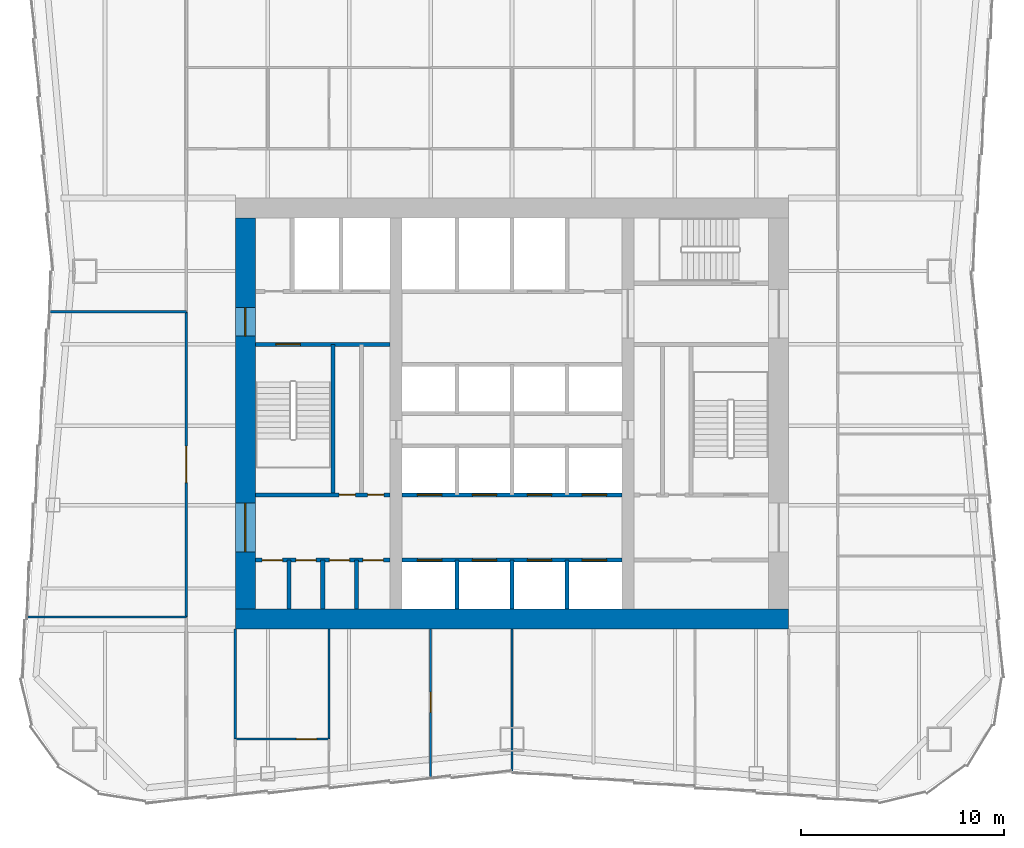
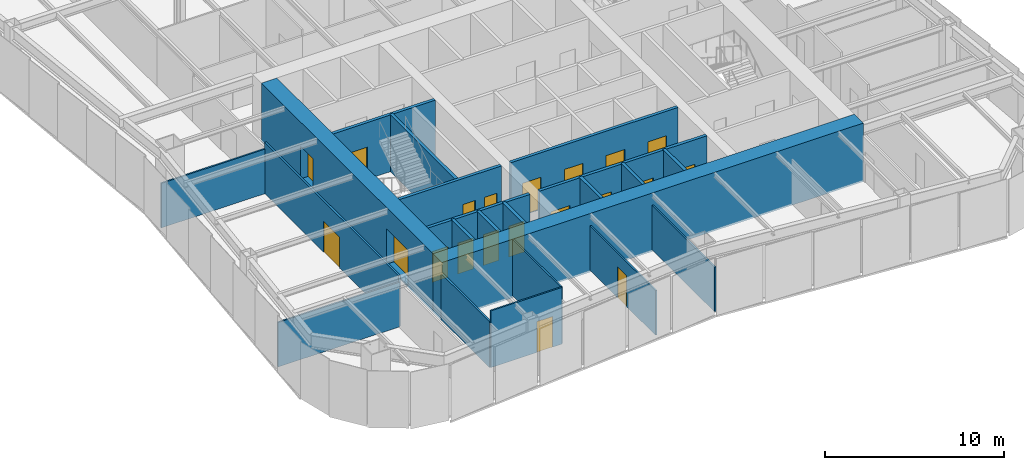
# One storey, part 4 of 8: 22 walls, 20 doors, 20 openings.
"""IFC4 building model written with IfcOpenShell, lengths in metres."""

from ifc_helpers import new_model, si_unit, direction, frame, frame_2d, origin, place, context, subcontext, project, spatial, rectangle, extrude, material, layer, layer_set, type_object, element, fill, save


model = new_model("IFC4")

# Units and contexts
model_context = context("Model", 3, precision=1e-05, world=origin(), true_north=direction((0.0, 1.0)))
body_context = subcontext(model_context, "Body", "Model", "MODEL_VIEW")
ifc_project = project(units=[si_unit("LENGTHUNIT", "METRE"), si_unit("AREAUNIT", "SQUARE_METRE"), si_unit("VOLUMEUNIT", "CUBIC_METRE"), si_unit("PLANEANGLEUNIT", "RADIAN"), si_unit("MASSUNIT", "GRAM", prefix="KILO")], contexts=[model_context])

# Site, building, storey
site_placement = place(None, origin())
site = spatial("IfcSite", under=ifc_project, at=site_placement, CompositionType="ELEMENT")
building_placement = place(site_placement, origin())
building = spatial("IfcBuilding", under=site, at=building_placement, Name="Verdant Reach Tower", CompositionType="ELEMENT")
storey_placement = place(building_placement, frame((0.0, 0.0, 146.0)))
storey = spatial("IfcBuildingStorey", under=building, at=storey_placement, Name="L33", CompositionType="ELEMENT", Elevation=146.0)

# Wall, openings, doors
ifc_material_1 = material(Name="Gypsum board on steel studs", Category="steel")
ifc_layer_1 = layer(ifc_material_1, 0.199951171875)
ifc_layer_set_1 = layer_set([ifc_layer_1], Name="CO-WALL-ROOM")
wall_type_1 = type_object("IfcWallType", Name="CO-WALL-ROOM", PredefinedType="PARTITIONING", material=ifc_layer_set_1)
wall_1_placement = place(storey_placement, frame((-12.60009765625, 20.800048828125, 0.0), z_axis=(0.0, 0.0, 1.0), x_axis=(1.0, 0.0, 0.0)))
wall_1 = element("IfcWall", 1, at=wall_1_placement, inside=storey, type_object=wall_type_1, Name="Core partition, L33", PredefinedType="PARTITIONING", context=body_context, shape_type="SweptSolid", body=[
    extrude(rectangle(XDim=6.60009765625, YDim=0.199951171875, at=frame_2d((3.300048828125, 0.0))), origin(), (0.0, 0.0, 1.0), 3.8701171875),
])
opening_1_placement = place(wall_1_placement, frame((0.324951171875, 0.0, 0.0)))
opening_1 = element("IfcOpeningElement", 2, at=opening_1_placement, cuts=wall_1, Name="Opening CD", PredefinedType="OPENING", context=body_context, shape_type="SweptSolid", body=[
    extrude(rectangle(XDim=1.0, YDim=2.10009765625, at=frame_2d((0.5, 1.050048828125))), frame((0.0, 0.10986328125, 0.0), z_axis=(0.0, -1.0, 0.0), x_axis=(1.0, 0.0, 0.0)), (0.0, 0.0, 1.0), 0.219970703125),
])
opening_2_placement = place(wall_1_placement, frame((1.97509765625, 0.0, 0.0)))
opening_2 = element("IfcOpeningElement", 3, at=opening_2_placement, cuts=wall_1, Name="Opening CD", PredefinedType="OPENING", context=body_context, shape_type="SweptSolid", body=[
    extrude(rectangle(XDim=1.0, YDim=2.10009765625, at=frame_2d((0.5, 1.050048828125))), frame((0.0, 0.10986328125, 0.0), z_axis=(0.0, -1.0, 0.0), x_axis=(1.0, 0.0, 0.0)), (0.0, 0.0, 1.0), 0.219970703125),
])
opening_3_placement = place(wall_1_placement, frame((3.625, 0.0, 0.0)))
opening_3 = element("IfcOpeningElement", 4, at=opening_3_placement, cuts=wall_1, Name="Opening CD", PredefinedType="OPENING", context=body_context, shape_type="SweptSolid", body=[
    extrude(rectangle(XDim=1.0, YDim=2.10009765625, at=frame_2d((0.5, 1.050048828125))), frame((0.0, 0.10986328125, 0.0), z_axis=(0.0, -1.0, 0.0), x_axis=(1.0, 0.0, 0.0)), (0.0, 0.0, 1.0), 0.219970703125),
])
opening_4_placement = place(wall_1_placement, frame((5.27490234375, 0.0, 0.0)))
opening_4 = element("IfcOpeningElement", 5, at=opening_4_placement, cuts=wall_1, Name="Opening CD", PredefinedType="OPENING", context=body_context, shape_type="SweptSolid", body=[
    extrude(rectangle(XDim=1.0, YDim=2.10009765625, at=frame_2d((0.5, 1.050048828125))), frame((0.0, 0.10986328125, 0.0), z_axis=(0.0, -1.0, 0.0), x_axis=(1.0, 0.0, 0.0)), (0.0, 0.0, 1.0), 0.219970703125),
])
ifc_material_2 = material(Name="Timber", Category="wood")
door_type_1 = type_object("IfcDoorType", Name="CO-DOOR-ROOM", OperationType="NOTDEFINED", PredefinedType="DOOR", material=ifc_material_2)
door_1_placement = place(opening_1_placement, origin())
door_1 = element("IfcDoor", 6, at=door_1_placement, inside=storey, type_object=door_type_1, Name="Core room door, L33", OperationType="SINGLE_SWING_RIGHT", OverallHeight=2.10009765625, OverallWidth=1.0, PredefinedType="DOOR", context=body_context, shape_type="SweptSolid", body=[
    extrude(rectangle(XDim=1.0, YDim=2.10009765625, at=frame_2d((0.5, 1.050048828125))), frame((0.0, 0.02490234375, 0.0), z_axis=(0.0, -1.0, 0.0), x_axis=(1.0, 0.0, 0.0)), (0.0, 0.0, 1.0), 0.050048828125),
])
fill(opening_1, door_1)
door_2_placement = place(opening_2_placement, origin())
door_2 = element("IfcDoor", 7, at=door_2_placement, inside=storey, type_object=door_type_1, Name="Core room door, L33", OperationType="SINGLE_SWING_RIGHT", OverallHeight=2.10009765625, OverallWidth=1.0, PredefinedType="DOOR", context=body_context, shape_type="SweptSolid", body=[
    extrude(rectangle(XDim=1.0, YDim=2.10009765625, at=frame_2d((0.5, 1.050048828125))), frame((0.0, 0.02490234375, 0.0), z_axis=(0.0, -1.0, 0.0), x_axis=(1.0, 0.0, 0.0)), (0.0, 0.0, 1.0), 0.050048828125),
])
fill(opening_2, door_2)
door_3_placement = place(opening_3_placement, origin())
door_3 = element("IfcDoor", 8, at=door_3_placement, inside=storey, type_object=door_type_1, Name="Core room door, L33", OperationType="SINGLE_SWING_LEFT", OverallHeight=2.10009765625, OverallWidth=1.0, PredefinedType="DOOR", context=body_context, shape_type="SweptSolid", body=[
    extrude(rectangle(XDim=1.0, YDim=2.10009765625, at=frame_2d((0.5, 1.050048828125))), frame((0.0, 0.02490234375, 0.0), z_axis=(0.0, -1.0, 0.0), x_axis=(1.0, 0.0, 0.0)), (0.0, 0.0, 1.0), 0.050048828125),
])
fill(opening_3, door_3)
door_4_placement = place(opening_4_placement, origin())
door_4 = element("IfcDoor", 9, at=door_4_placement, inside=storey, type_object=door_type_1, Name="Core room door, L33", OperationType="SINGLE_SWING_LEFT", OverallHeight=2.10009765625, OverallWidth=1.0, PredefinedType="DOOR", context=body_context, shape_type="SweptSolid", body=[
    extrude(rectangle(XDim=1.0, YDim=2.10009765625, at=frame_2d((0.5, 1.050048828125))), frame((0.0, 0.02490234375, 0.0), z_axis=(0.0, -1.0, 0.0), x_axis=(1.0, 0.0, 0.0)), (0.0, 0.0, 1.0), 0.050048828125),
])
fill(opening_4, door_4)

# Walls
for number, where, z_axis, x_axis, name in (
    (10, (-10.949951171875, 18.39990234375, 0.0), (0.0, 0.0, 1.0), (0.0, 1.0, 0.0), "Core partition, L33"),
    (11, (-9.300048828125, 18.39990234375, 0.0), (0.0, 0.0, 1.0), (0.0, 1.0, 0.0), "Core partition, L33"),
    (12, (-7.64990234375, 18.39990234375, 0.0), (0.0, 0.0, 1.0), (0.0, 1.0, 0.0), "Core partition, L33"),
):
    element("IfcWall", number, at=place(storey_placement, frame(where, z_axis=z_axis, x_axis=x_axis)), inside=storey, type_object=wall_type_1, Name=name, PredefinedType="PARTITIONING", context=body_context, shape_type="SweptSolid", body=[
        extrude(rectangle(XDim=2.400146484375, YDim=0.199951171875, at=frame_2d((1.2001953125, 0.0))), origin(), (0.0, 0.0, 1.0), 3.8701171875),
    ])

# Wall, openings, doors
ifc_material_3 = material(Name="Concrete C40/50", Category="concrete")
ifc_layer_2 = layer(ifc_material_3, 0.199951171875)
ifc_layer_set_2 = layer_set([ifc_layer_2], Name="CO-WALL-SHAFT")
wall_type_2 = type_object("IfcWallType", Name="CO-WALL-SHAFT", PredefinedType="PARTITIONING", material=ifc_layer_set_2)
wall_2_placement = place(storey_placement, frame((-5.39990234375, 20.800048828125, 0.0), z_axis=(0.0, 0.0, 1.0), x_axis=(1.0, 0.0, 0.0)))
wall_2 = element("IfcWall", 13, at=wall_2_placement, inside=storey, type_object=wall_type_2, Name="Lift shaft wall, L33", PredefinedType="PARTITIONING", context=body_context, shape_type="SweptSolid", body=[
    extrude(rectangle(XDim=10.7998046875, YDim=0.199951171875, at=frame_2d((5.39990234375, 0.0))), origin(), (0.0, 0.0, 1.0), 3.8701171875),
])
opening_5_placement = place(wall_2_placement, frame((0.75, 0.0, 0.0)))
opening_5 = element("IfcOpeningElement", 14, at=opening_5_placement, cuts=wall_2, Name="Opening LD-A1", PredefinedType="OPENING", context=body_context, shape_type="SweptSolid", body=[
    extrude(rectangle(XDim=1.199951171875, YDim=2.199951171875, at=frame_2d((0.60009765625, 1.10009765625))), frame((0.0, 0.10986328125, 0.0), z_axis=(0.0, -1.0, 0.0), x_axis=(1.0, 0.0, 0.0)), (0.0, 0.0, 1.0), 0.219970703125),
])
opening_6_placement = place(wall_2_placement, frame((3.449951171875, 0.0, 0.0)))
opening_6 = element("IfcOpeningElement", 15, at=opening_6_placement, cuts=wall_2, Name="Opening LD-A2", PredefinedType="OPENING", context=body_context, shape_type="SweptSolid", body=[
    extrude(rectangle(XDim=1.199951171875, YDim=2.199951171875, at=frame_2d((0.60009765625, 1.10009765625))), frame((0.0, 0.10986328125, 0.0), z_axis=(0.0, -1.0, 0.0), x_axis=(1.0, 0.0, 0.0)), (0.0, 0.0, 1.0), 0.219970703125),
])
opening_7_placement = place(wall_2_placement, frame((6.14990234375, 0.0, 0.0)))
opening_7 = element("IfcOpeningElement", 16, at=opening_7_placement, cuts=wall_2, Name="Opening LD-A3", PredefinedType="OPENING", context=body_context, shape_type="SweptSolid", body=[
    extrude(rectangle(XDim=1.199951171875, YDim=2.199951171875, at=frame_2d((0.60009765625, 1.10009765625))), frame((0.0, 0.10986328125, 0.0), z_axis=(0.0, -1.0, 0.0), x_axis=(1.0, 0.0, 0.0)), (0.0, 0.0, 1.0), 0.219970703125),
])
opening_8_placement = place(wall_2_placement, frame((8.85009765625, 0.0, 0.0)))
opening_8 = element("IfcOpeningElement", 17, at=opening_8_placement, cuts=wall_2, Name="Opening LD-A4", PredefinedType="OPENING", context=body_context, shape_type="SweptSolid", body=[
    extrude(rectangle(XDim=1.199951171875, YDim=2.199951171875, at=frame_2d((0.60009765625, 1.10009765625))), frame((0.0, 0.10986328125, 0.0), z_axis=(0.0, -1.0, 0.0), x_axis=(1.0, 0.0, 0.0)), (0.0, 0.0, 1.0), 0.219970703125),
])
ifc_material_4 = material(Name="Stainless steel", Category="steel")
door_type_2 = type_object("IfcDoorType", Name="CO-DOOR-LANDING", OperationType="SLIDING_TO_LEFT", PredefinedType="DOOR", material=ifc_material_4)
door_5_placement = place(opening_5_placement, origin())
door_5 = element("IfcDoor", 18, at=door_5_placement, inside=storey, type_object=door_type_2, Name="Landing door A1, L33", OperationType="SLIDING_TO_LEFT", OverallHeight=2.199951171875, OverallWidth=1.199951171875, PredefinedType="DOOR", context=body_context, shape_type="SweptSolid", body=[
    extrude(rectangle(XDim=1.199951171875, YDim=2.199951171875, at=frame_2d((0.60009765625, 1.10009765625))), frame((0.0, 0.02490234375, 0.0), z_axis=(0.0, -1.0, 0.0), x_axis=(1.0, 0.0, 0.0)), (0.0, 0.0, 1.0), 0.050048828125),
])
fill(opening_5, door_5)
door_6_placement = place(opening_6_placement, origin())
door_6 = element("IfcDoor", 19, at=door_6_placement, inside=storey, type_object=door_type_2, Name="Landing door A2, L33", OperationType="SLIDING_TO_LEFT", OverallHeight=2.199951171875, OverallWidth=1.199951171875, PredefinedType="DOOR", context=body_context, shape_type="SweptSolid", body=[
    extrude(rectangle(XDim=1.199951171875, YDim=2.199951171875, at=frame_2d((0.60009765625, 1.10009765625))), frame((0.0, 0.02490234375, 0.0), z_axis=(0.0, -1.0, 0.0), x_axis=(1.0, 0.0, 0.0)), (0.0, 0.0, 1.0), 0.050048828125),
])
fill(opening_6, door_6)
door_7_placement = place(opening_7_placement, origin())
door_7 = element("IfcDoor", 20, at=door_7_placement, inside=storey, type_object=door_type_2, Name="Landing door A3, L33", OperationType="SLIDING_TO_LEFT", OverallHeight=2.199951171875, OverallWidth=1.199951171875, PredefinedType="DOOR", context=body_context, shape_type="SweptSolid", body=[
    extrude(rectangle(XDim=1.199951171875, YDim=2.199951171875, at=frame_2d((0.60009765625, 1.10009765625))), frame((0.0, 0.02490234375, 0.0), z_axis=(0.0, -1.0, 0.0), x_axis=(1.0, 0.0, 0.0)), (0.0, 0.0, 1.0), 0.050048828125),
])
fill(opening_7, door_7)
door_8_placement = place(opening_8_placement, origin())
door_8 = element("IfcDoor", 21, at=door_8_placement, inside=storey, type_object=door_type_2, Name="Landing door A4, L33", OperationType="SLIDING_TO_LEFT", OverallHeight=2.199951171875, OverallWidth=1.199951171875, PredefinedType="DOOR", context=body_context, shape_type="SweptSolid", body=[
    extrude(rectangle(XDim=1.199951171875, YDim=2.199951171875, at=frame_2d((0.60009765625, 1.10009765625))), frame((0.0, 0.02490234375, 0.0), z_axis=(0.0, -1.0, 0.0), x_axis=(1.0, 0.0, 0.0)), (0.0, 0.0, 1.0), 0.050048828125),
])
fill(opening_8, door_8)

wall_3_placement = place(storey_placement, frame((-5.39990234375, 24.0, 0.0), z_axis=(0.0, 0.0, 1.0), x_axis=(1.0, 0.0, 0.0)))
wall_3 = element("IfcWall", 22, at=wall_3_placement, inside=storey, type_object=wall_type_2, Name="Lift shaft wall, L33", PredefinedType="PARTITIONING", context=body_context, shape_type="SweptSolid", body=[
    extrude(rectangle(XDim=10.7998046875, YDim=0.199951171875, at=frame_2d((5.39990234375, 0.0))), origin(), (0.0, 0.0, 1.0), 3.8701171875),
])
opening_9_placement = place(wall_3_placement, frame((0.75, 0.0, 0.0)))
opening_9 = element("IfcOpeningElement", 23, at=opening_9_placement, cuts=wall_3, Name="Opening LD-A5", PredefinedType="OPENING", context=body_context, shape_type="SweptSolid", body=[
    extrude(rectangle(XDim=1.199951171875, YDim=2.199951171875, at=frame_2d((0.60009765625, 1.10009765625))), frame((0.0, 0.10986328125, 0.0), z_axis=(0.0, -1.0, 0.0), x_axis=(1.0, 0.0, 0.0)), (0.0, 0.0, 1.0), 0.219970703125),
])
opening_10_placement = place(wall_3_placement, frame((3.449951171875, 0.0, 0.0)))
opening_10 = element("IfcOpeningElement", 24, at=opening_10_placement, cuts=wall_3, Name="Opening LD-A6", PredefinedType="OPENING", context=body_context, shape_type="SweptSolid", body=[
    extrude(rectangle(XDim=1.199951171875, YDim=2.199951171875, at=frame_2d((0.60009765625, 1.10009765625))), frame((0.0, 0.10986328125, 0.0), z_axis=(0.0, -1.0, 0.0), x_axis=(1.0, 0.0, 0.0)), (0.0, 0.0, 1.0), 0.219970703125),
])
opening_11_placement = place(wall_3_placement, frame((6.14990234375, 0.0, 0.0)))
opening_11 = element("IfcOpeningElement", 25, at=opening_11_placement, cuts=wall_3, Name="Opening LD-A7", PredefinedType="OPENING", context=body_context, shape_type="SweptSolid", body=[
    extrude(rectangle(XDim=1.199951171875, YDim=2.199951171875, at=frame_2d((0.60009765625, 1.10009765625))), frame((0.0, 0.10986328125, 0.0), z_axis=(0.0, -1.0, 0.0), x_axis=(1.0, 0.0, 0.0)), (0.0, 0.0, 1.0), 0.219970703125),
])
opening_12_placement = place(wall_3_placement, frame((8.85009765625, 0.0, 0.0)))
opening_12 = element("IfcOpeningElement", 26, at=opening_12_placement, cuts=wall_3, Name="Opening LD-A8", PredefinedType="OPENING", context=body_context, shape_type="SweptSolid", body=[
    extrude(rectangle(XDim=1.199951171875, YDim=2.199951171875, at=frame_2d((0.60009765625, 1.10009765625))), frame((0.0, 0.10986328125, 0.0), z_axis=(0.0, -1.0, 0.0), x_axis=(1.0, 0.0, 0.0)), (0.0, 0.0, 1.0), 0.219970703125),
])
door_9_placement = place(opening_9_placement, origin())
door_9 = element("IfcDoor", 27, at=door_9_placement, inside=storey, type_object=door_type_2, Name="Landing door A5, L33", OperationType="SLIDING_TO_LEFT", OverallHeight=2.199951171875, OverallWidth=1.199951171875, PredefinedType="DOOR", context=body_context, shape_type="SweptSolid", body=[
    extrude(rectangle(XDim=1.199951171875, YDim=2.199951171875, at=frame_2d((0.60009765625, 1.10009765625))), frame((0.0, 0.02490234375, 0.0), z_axis=(0.0, -1.0, 0.0), x_axis=(1.0, 0.0, 0.0)), (0.0, 0.0, 1.0), 0.050048828125),
])
fill(opening_9, door_9)
door_10_placement = place(opening_10_placement, origin())
door_10 = element("IfcDoor", 28, at=door_10_placement, inside=storey, type_object=door_type_2, Name="Landing door A6, L33", OperationType="SLIDING_TO_LEFT", OverallHeight=2.199951171875, OverallWidth=1.199951171875, PredefinedType="DOOR", context=body_context, shape_type="SweptSolid", body=[
    extrude(rectangle(XDim=1.199951171875, YDim=2.199951171875, at=frame_2d((0.60009765625, 1.10009765625))), frame((0.0, 0.02490234375, 0.0), z_axis=(0.0, -1.0, 0.0), x_axis=(1.0, 0.0, 0.0)), (0.0, 0.0, 1.0), 0.050048828125),
])
fill(opening_10, door_10)
door_11_placement = place(opening_11_placement, origin())
door_11 = element("IfcDoor", 29, at=door_11_placement, inside=storey, type_object=door_type_2, Name="Landing door A7, L33", OperationType="SLIDING_TO_LEFT", OverallHeight=2.199951171875, OverallWidth=1.199951171875, PredefinedType="DOOR", context=body_context, shape_type="SweptSolid", body=[
    extrude(rectangle(XDim=1.199951171875, YDim=2.199951171875, at=frame_2d((0.60009765625, 1.10009765625))), frame((0.0, 0.02490234375, 0.0), z_axis=(0.0, -1.0, 0.0), x_axis=(1.0, 0.0, 0.0)), (0.0, 0.0, 1.0), 0.050048828125),
])
fill(opening_11, door_11)
door_12_placement = place(opening_12_placement, origin())
door_12 = element("IfcDoor", 30, at=door_12_placement, inside=storey, type_object=door_type_2, Name="Landing door A8, L33", OperationType="SLIDING_TO_LEFT", OverallHeight=2.199951171875, OverallWidth=1.199951171875, PredefinedType="DOOR", context=body_context, shape_type="SweptSolid", body=[
    extrude(rectangle(XDim=1.199951171875, YDim=2.199951171875, at=frame_2d((0.60009765625, 1.10009765625))), frame((0.0, 0.02490234375, 0.0), z_axis=(0.0, -1.0, 0.0), x_axis=(1.0, 0.0, 0.0)), (0.0, 0.0, 1.0), 0.050048828125),
])
fill(opening_12, door_12)

# Walls
for number, where, z_axis, x_axis, name in (
    (31, (-2.699951171875, 18.39990234375, 0.0), (0.0, 0.0, 1.0), (0.0, 1.0, 0.0), "Lift shaft wall, L33"),
    (32, (0.0, 18.39990234375, 0.0), (0.0, 0.0, 1.0), (0.0, 1.0, 0.0), "Lift shaft wall, L33"),
    (33, (2.699951171875, 18.39990234375, 0.0), (0.0, 0.0, 1.0), (0.0, 1.0, 0.0), "Lift shaft wall, L33"),
):
    element("IfcWall", number, at=place(storey_placement, frame(where, z_axis=z_axis, x_axis=x_axis)), inside=storey, type_object=wall_type_2, Name=name, PredefinedType="PARTITIONING", context=body_context, shape_type="SweptSolid", body=[
        extrude(rectangle(XDim=2.400146484375, YDim=0.199951171875, at=frame_2d((1.2001953125, 0.0))), origin(), (0.0, 0.0, 1.0), 3.8701171875),
    ])

# Wall, openings, doors
ifc_layer_3 = layer(ifc_material_3, 0.199951171875)
ifc_layer_set_3 = layer_set([ifc_layer_3], Name="CO-WALL-STAIR")
wall_type_3 = type_object("IfcWallType", Name="CO-WALL-STAIR", PredefinedType="PARTITIONING", material=ifc_layer_set_3)
wall_4_placement = place(storey_placement, frame((-12.60009765625, 24.0, 0.0), z_axis=(0.0, 0.0, 1.0), x_axis=(1.0, 0.0, 0.0)))
wall_4 = element("IfcWall", 34, at=wall_4_placement, inside=storey, type_object=wall_type_3, Name="Stair enclosure wall, L33", PredefinedType="PARTITIONING", context=body_context, shape_type="SweptSolid", body=[
    extrude(rectangle(XDim=6.60009765625, YDim=0.199951171875, at=frame_2d((3.300048828125, 0.0))), origin(), (0.0, 0.0, 1.0), 3.8701171875),
])
opening_13_placement = place(wall_4_placement, frame((4.10009765625, 0.0, 0.0)))
opening_13 = element("IfcOpeningElement", 35, at=opening_13_placement, cuts=wall_4, Name="Opening CDN", PredefinedType="OPENING", context=body_context, shape_type="SweptSolid", body=[
    extrude(rectangle(XDim=0.800048828125, YDim=2.10009765625, at=frame_2d((0.39990234375, 1.050048828125))), frame((0.0, 0.10986328125, 0.0), z_axis=(0.0, -1.0, 0.0), x_axis=(1.0, 0.0, 0.0)), (0.0, 0.0, 1.0), 0.219970703125),
])
opening_14_placement = place(wall_4_placement, frame((5.5, 0.0, 0.0)))
opening_14 = element("IfcOpeningElement", 36, at=opening_14_placement, cuts=wall_4, Name="Opening CDN", PredefinedType="OPENING", context=body_context, shape_type="SweptSolid", body=[
    extrude(rectangle(XDim=0.800048828125, YDim=2.10009765625, at=frame_2d((0.39990234375, 1.050048828125))), frame((0.0, 0.10986328125, 0.0), z_axis=(0.0, -1.0, 0.0), x_axis=(1.0, 0.0, 0.0)), (0.0, 0.0, 1.0), 0.219970703125),
])
door_type_3 = type_object("IfcDoorType", Name="CO-DOOR-ROOM-NARROW", OperationType="NOTDEFINED", PredefinedType="DOOR", material=ifc_material_2)
door_13_placement = place(opening_13_placement, origin())
door_13 = element("IfcDoor", 37, at=door_13_placement, inside=storey, type_object=door_type_3, Name="Core room door, L33", OperationType="SINGLE_SWING_RIGHT", OverallHeight=2.10009765625, OverallWidth=0.800048828125, PredefinedType="DOOR", context=body_context, shape_type="SweptSolid", body=[
    extrude(rectangle(XDim=0.800048828125, YDim=2.10009765625, at=frame_2d((0.39990234375, 1.050048828125))), frame((0.0, 0.02490234375, 0.0), z_axis=(0.0, -1.0, 0.0), x_axis=(1.0, 0.0, 0.0)), (0.0, 0.0, 1.0), 0.050048828125),
])
fill(opening_13, door_13)
door_14_placement = place(opening_14_placement, origin())
door_14 = element("IfcDoor", 38, at=door_14_placement, inside=storey, type_object=door_type_3, Name="Core room door, L33", OperationType="SINGLE_SWING_LEFT", OverallHeight=2.10009765625, OverallWidth=0.800048828125, PredefinedType="DOOR", context=body_context, shape_type="SweptSolid", body=[
    extrude(rectangle(XDim=0.800048828125, YDim=2.10009765625, at=frame_2d((0.39990234375, 1.050048828125))), frame((0.0, 0.02490234375, 0.0), z_axis=(0.0, -1.0, 0.0), x_axis=(1.0, 0.0, 0.0)), (0.0, 0.0, 1.0), 0.050048828125),
])
fill(opening_14, door_14)

# Wall, opening, door
wall_5_placement = place(storey_placement, frame((-12.60009765625, 31.39990234375, 0.0), z_axis=(0.0, 0.0, 1.0), x_axis=(1.0, 0.0, 0.0)))
wall_5 = element("IfcWall", 39, at=wall_5_placement, inside=storey, type_object=wall_type_3, Name="Stair enclosure wall, L33", PredefinedType="PARTITIONING", context=body_context, shape_type="SweptSolid", body=[
    extrude(rectangle(XDim=6.60009765625, YDim=0.199951171875, at=frame_2d((3.300048828125, 0.0))), origin(), (0.0, 0.0, 1.0), 3.8701171875),
])
opening_15_placement = place(wall_5_placement, frame((1.0, 0.0, 0.0)))
opening_15 = element("IfcOpeningElement", 40, at=opening_15_placement, cuts=wall_5, Name="Opening SD", PredefinedType="OPENING", context=body_context, shape_type="SweptSolid", body=[
    extrude(rectangle(XDim=1.199951171875, YDim=2.199951171875, at=frame_2d((0.60009765625, 1.10009765625))), frame((0.0, 0.10986328125, 0.0), z_axis=(0.0, -1.0, 0.0), x_axis=(1.0, 0.0, 0.0)), (0.0, 0.0, 1.0), 0.219970703125),
])
ifc_material_5 = material(Name="Steel", Category="steel")
door_type_4 = type_object("IfcDoorType", Name="CO-DOOR-STAIR", OperationType="NOTDEFINED", PredefinedType="DOOR", material=ifc_material_5)
door_15_placement = place(opening_15_placement, origin())
door_15 = element("IfcDoor", 41, at=door_15_placement, inside=storey, type_object=door_type_4, Name="Stair door, L33", OperationType="SINGLE_SWING_RIGHT", OverallHeight=2.199951171875, OverallWidth=1.199951171875, PredefinedType="DOOR", context=body_context, shape_type="SweptSolid", body=[
    extrude(rectangle(XDim=1.199951171875, YDim=2.199951171875, at=frame_2d((0.60009765625, 1.10009765625))), frame((0.0, 0.02490234375, 0.0), z_axis=(0.0, -1.0, 0.0), x_axis=(1.0, 0.0, 0.0)), (0.0, 0.0, 1.0), 0.050048828125),
])
fill(opening_15, door_15)

# Walls
wall_6_placement = place(storey_placement, frame((-8.800048828125, 24.0, 0.0), z_axis=(0.0, 0.0, 1.0), x_axis=(0.0, 1.0, 0.0)))
element("IfcWall", 42, at=wall_6_placement, inside=storey, type_object=wall_type_3, Name="Stair enclosure wall, L33", PredefinedType="PARTITIONING", context=body_context, shape_type="SweptSolid", body=[
    extrude(rectangle(XDim=7.39990234375, YDim=0.199951171875, at=frame_2d((3.699951171875, 0.0))), origin(), (0.0, 0.0, 1.0), 3.8701171875),
])
ifc_layer_4 = layer(ifc_material_1, 0.10009765625)
ifc_layer_set_4 = layer_set([ifc_layer_4], Name="FL-W1 Partition 100")
wall_type_4 = type_object("IfcWallType", Name="FL-W1 Partition 100", PredefinedType="PARTITIONING", material=ifc_layer_set_4)
wall_7_placement = place(storey_placement, frame((-16.0, 18.0, 0.0), z_axis=(0.0, 0.0, 1.0), x_axis=(-1.0, 0.0, 0.0)))
element("IfcWall", 43, at=wall_7_placement, inside=storey, type_object=wall_type_4, Name="Partition 33.19", PredefinedType="PARTITIONING", context=body_context, shape_type="SweptSolid", body=[
    extrude(rectangle(XDim=7.85498046875, YDim=0.10009765625, at=frame_2d((3.927490234375, 0.0))), origin(), (0.0, 0.0, 1.0), 3.0400390625),
])
wall_8_placement = place(storey_placement, frame((-16.0, 33.0, 0.0), z_axis=(0.0, 0.0, 1.0), x_axis=(-1.0, 0.0, 0.0)))
element("IfcWall", 44, at=wall_8_placement, inside=storey, type_object=wall_type_4, Name="Partition 33.20", PredefinedType="PARTITIONING", context=body_context, shape_type="SweptSolid", body=[
    extrude(rectangle(XDim=6.72998046875, YDim=0.10009765625, at=frame_2d((3.364990234375, 0.0))), origin(), (0.0, 0.0, 1.0), 3.0400390625),
])

# Wall, opening, door
wall_9_placement = place(storey_placement, frame((-13.60009765625, 12.0, 0.0), z_axis=(0.0, 0.0, 1.0), x_axis=(1.0, 0.0, 0.0)))
wall_9 = element("IfcWall", 45, at=wall_9_placement, inside=storey, type_object=wall_type_4, Name="Partition 33.31", PredefinedType="PARTITIONING", context=body_context, shape_type="SweptSolid", body=[
    extrude(rectangle(XDim=4.60009765625, YDim=0.10009765625, at=frame_2d((2.300048828125, 0.0))), origin(), (0.0, 0.0, 1.0), 3.8701171875),
])
opening_16_placement = place(wall_9_placement, frame((3.0, 0.0, 0.0)))
opening_16 = element("IfcOpeningElement", 46, at=opening_16_placement, cuts=wall_9, Name="Opening D3", PredefinedType="OPENING", context=body_context, shape_type="SweptSolid", body=[
    extrude(rectangle(XDim=1.0, YDim=2.10009765625, at=frame_2d((0.5, 1.050048828125))), frame((0.0, 0.06005859375, 0.0), z_axis=(0.0, -1.0, 0.0), x_axis=(1.0, 0.0, 0.0)), (0.0, 0.0, 1.0), 0.1201171875),
])
ifc_material_6 = material(Name="Painted timber door leaf", Category="wood")
door_type_5 = type_object("IfcDoorType", Name="FL-D3 Door 1000x2100", OperationType="NOTDEFINED", PredefinedType="DOOR", material=ifc_material_6)
door_16_placement = place(opening_16_placement, origin())
door_16 = element("IfcDoor", 47, at=door_16_placement, inside=storey, type_object=door_type_5, Name="Door 33-016", OperationType="SINGLE_SWING_RIGHT", OverallHeight=2.10009765625, OverallWidth=1.0, PredefinedType="DOOR", context=body_context, shape_type="SweptSolid", body=[
    extrude(rectangle(XDim=1.0, YDim=2.10009765625, at=frame_2d((0.5, 1.050048828125))), frame((0.0, 0.02490234375, 0.0), z_axis=(0.0, -1.0, 0.0), x_axis=(1.0, 0.0, 0.0)), (0.0, 0.0, 1.0), 0.050048828125),
])
fill(opening_16, door_16)

# Wall
wall_10_placement = place(storey_placement, frame((-9.0, 11.99609375, 0.0), z_axis=(0.0, 0.0, 1.0), x_axis=(0.0, 1.0, 0.0)))
element("IfcWall", 48, at=wall_10_placement, inside=storey, type_object=wall_type_4, Name="Partition 33.33", PredefinedType="PARTITIONING", context=body_context, shape_type="SweptSolid", body=[
    extrude(rectangle(XDim=5.40380859375, YDim=0.10009765625, at=frame_2d((2.701904296875, 0.0))), origin(), (0.0, 0.0, 1.0), 3.8701171875),
])

# Wall, opening, door
wall_11_placement = place(storey_placement, frame((-4.0, 17.39990234375, 0.0), z_axis=(0.0, 0.0, 1.0), x_axis=(0.0, -1.0, 0.0)))
wall_11 = element("IfcWall", 49, at=wall_11_placement, inside=storey, type_object=wall_type_4, Name="Partition 33.34", PredefinedType="PARTITIONING", context=body_context, shape_type="SweptSolid", body=[
    extrude(rectangle(XDim=7.313232421875, YDim=0.10009765625, at=frame_2d((3.65673828125, 0.0))), origin(), (0.0, 0.0, 1.0), 3.0400390625),
])
opening_17_placement = place(wall_11_placement, frame((3.091552734375, 0.0, 0.0)))
opening_17 = element("IfcOpeningElement", 50, at=opening_17_placement, cuts=wall_11, Name="Opening D3", PredefinedType="OPENING", context=body_context, shape_type="SweptSolid", body=[
    extrude(rectangle(XDim=1.0, YDim=2.10009765625, at=frame_2d((0.5, 1.050048828125))), frame((0.0, 0.06005859375, 0.0), z_axis=(0.0, -1.0, 0.0), x_axis=(1.0, 0.0, 0.0)), (0.0, 0.0, 1.0), 0.1201171875),
])
door_17_placement = place(opening_17_placement, origin())
door_17 = element("IfcDoor", 51, at=door_17_placement, inside=storey, type_object=door_type_5, Name="Door 33-018", OperationType="SINGLE_SWING_LEFT", OverallHeight=2.10009765625, OverallWidth=1.0, PredefinedType="DOOR", context=body_context, shape_type="SweptSolid", body=[
    extrude(rectangle(XDim=1.0, YDim=2.10009765625, at=frame_2d((0.5, 1.050048828125))), frame((0.0, 0.02490234375, 0.0), z_axis=(0.0, -1.0, 0.0), x_axis=(1.0, 0.0, 0.0)), (0.0, 0.0, 1.0), 0.050048828125),
])
fill(opening_17, door_17)

# Wall
wall_12_placement = place(storey_placement, frame((0.0, 10.419921875, 0.0), z_axis=(0.0, 0.0, 1.0), x_axis=(0.0, 1.0, 0.0)))
element("IfcWall", 52, at=wall_12_placement, inside=storey, type_object=wall_type_4, Name="Partition 33.35", PredefinedType="PARTITIONING", context=body_context, shape_type="SweptSolid", body=[
    extrude(rectangle(XDim=6.97998046875, YDim=0.10009765625, at=frame_2d((3.489990234375, 0.0))), origin(), (0.0, 0.0, 1.0), 3.0400390625),
])

# Wall, opening, door
ifc_material_7 = material(Name="Gypsum board on steel studs, fire rated", Category="steel")
ifc_layer_5 = layer(ifc_material_7, 0.125)
ifc_layer_set_5 = layer_set([ifc_layer_5], Name="FL-W2 Corridor wall 125")
wall_type_5 = type_object("IfcWallType", Name="FL-W2 Corridor wall 125", PredefinedType="PARTITIONING", material=ifc_layer_set_5)
wall_13_placement = place(storey_placement, frame((-16.0, 33.0, 0.0), z_axis=(0.0, 0.0, 1.0), x_axis=(0.0, -1.0, 0.0)))
wall_13 = element("IfcWall", 53, at=wall_13_placement, inside=storey, type_object=wall_type_5, Name="Partition 33.02", PredefinedType="PARTITIONING", context=body_context, shape_type="SweptSolid", body=[
    extrude(rectangle(XDim=15.0, YDim=0.125, at=frame_2d((7.5, 0.0))), origin(), (0.0, 0.0, 1.0), 3.47998046875),
])
opening_18_placement = place(wall_13_placement, frame((6.60009765625, 0.0, 0.0)))
opening_18 = element("IfcOpeningElement", 54, at=opening_18_placement, cuts=wall_13, Name="Opening D4", PredefinedType="OPENING", context=body_context, shape_type="SweptSolid", body=[
    extrude(rectangle(XDim=1.800048828125, YDim=2.10009765625, at=frame_2d((0.89990234375, 1.050048828125))), frame((0.0, 0.072509765625, 0.0), z_axis=(0.0, -1.0, 0.0), x_axis=(1.0, 0.0, 0.0)), (0.0, 0.0, 1.0), 0.14501953125),
])
ifc_material_8 = material(Name="Timber door leaves, fire rated", Category="wood")
door_type_6 = type_object("IfcDoorType", Name="FL-D4 Double door 1800x2100 FD30", OperationType="DOUBLE_DOOR_SINGLE_SWING", PredefinedType="DOOR", material=ifc_material_8)
door_18_placement = place(opening_18_placement, origin())
door_18 = element("IfcDoor", 55, at=door_18_placement, inside=storey, type_object=door_type_6, Name="Door 33-002", OperationType="DOUBLE_DOOR_SINGLE_SWING", OverallHeight=2.10009765625, OverallWidth=1.800048828125, PredefinedType="DOOR", context=body_context, shape_type="SweptSolid", body=[
    extrude(rectangle(XDim=1.800048828125, YDim=2.10009765625, at=frame_2d((0.89990234375, 1.050048828125))), frame((0.0, 0.02490234375, 0.0), z_axis=(0.0, -1.0, 0.0), x_axis=(1.0, 0.0, 0.0)), (0.0, 0.0, 1.0), 0.050048828125),
])
fill(opening_18, door_18)

# Walls
wall_14_placement = place(storey_placement, frame((-13.60009765625, 12.0, 0.0), z_axis=(0.0, 0.0, 1.0), x_axis=(0.0, 1.0, 0.0)))
element("IfcWall", 56, at=wall_14_placement, inside=storey, type_object=wall_type_5, Name="Partition 33.10", PredefinedType="PARTITIONING", context=body_context, shape_type="SweptSolid", body=[
    extrude(rectangle(XDim=5.39990234375, YDim=0.125, at=frame_2d((2.699951171875, 0.0))), origin(), (0.0, 0.0, 1.0), 3.139892578125),
])
ifc_material_9 = material(Name="Concrete C70/85", Category="concrete")
ifc_layer_6 = layer(ifc_material_9, 1.0)
ifc_layer_set_6 = layer_set([ifc_layer_6], Name="ST-CORE-WALL-1000")
wall_type_6 = type_object("IfcWallType", Name="ST-CORE-WALL-1000", PredefinedType="SHEAR", material=ifc_layer_set_6)
wall_15_placement = place(storey_placement, frame((-13.60009765625, 17.89990234375, -0.1298828125), z_axis=(0.0, 0.0, 1.0), x_axis=(1.0, 0.0, 0.0)))
element("IfcWall", 57, at=wall_15_placement, inside=storey, type_object=wall_type_6, Name="Core wall S, L33", PredefinedType="SHEAR", context=body_context, shape_type="SweptSolid", body=[
    extrude(rectangle(XDim=27.2001953125, YDim=1.0, at=frame_2d((13.60009765625, 0.0))), origin(), (0.0, 0.0, 1.0), 4.0),
])

# Wall, openings, doors
wall_16_placement = place(storey_placement, frame((-13.10009765625, 18.39990234375, -0.1298828125), z_axis=(0.0, 0.0, 1.0), x_axis=(0.0, 1.0, 0.0)))
wall_16 = element("IfcWall", 58, at=wall_16_placement, inside=storey, type_object=wall_type_6, Name="Core wall W, L33", PredefinedType="SHEAR", context=body_context, shape_type="SweptSolid", body=[
    extrude(rectangle(XDim=19.2001953125, YDim=1.0, at=frame_2d((9.60009765625, 0.0))), origin(), (0.0, 0.0, 1.0), 4.0),
])
opening_19_placement = place(wall_16_placement, frame((2.800048828125, 0.0, 0.1298828125)))
opening_19 = element("IfcOpeningElement", 59, at=opening_19_placement, cuts=wall_16, Name="Opening LB", PredefinedType="OPENING", context=body_context, shape_type="SweptSolid", body=[
    extrude(rectangle(XDim=2.39990234375, YDim=2.39990234375, at=frame_2d((1.199951171875, 1.199951171875))), frame((0.0, 0.510009765625, 0.0), z_axis=(0.0, -1.0, 0.0), x_axis=(1.0, 0.0, 0.0)), (0.0, 0.0, 1.0), 1.02001953125),
])
opening_20_placement = place(wall_16_placement, frame((13.39990234375, 0.0, 0.1298828125)))
opening_20 = element("IfcOpeningElement", 60, at=opening_20_placement, cuts=wall_16, Name="Opening FL", PredefinedType="OPENING", context=body_context, shape_type="SweptSolid", body=[
    extrude(rectangle(XDim=1.39990234375, YDim=2.199951171875, at=frame_2d((0.699951171875, 1.10009765625))), frame((0.0, 0.510009765625, 0.0), z_axis=(0.0, -1.0, 0.0), x_axis=(1.0, 0.0, 0.0)), (0.0, 0.0, 1.0), 1.02001953125),
])
door_type_7 = type_object("IfcDoorType", Name="CO-DOOR-FFL", OperationType="NOTDEFINED", PredefinedType="DOOR", material=ifc_material_5)
door_19_placement = place(opening_20_placement, origin())
door_19 = element("IfcDoor", 61, at=door_19_placement, inside=storey, type_object=door_type_7, Name="Core entrance door, L33", OperationType="SINGLE_SWING_RIGHT", OverallHeight=2.199951171875, OverallWidth=1.39990234375, PredefinedType="DOOR", context=body_context, shape_type="SweptSolid", body=[
    extrude(rectangle(XDim=1.39990234375, YDim=2.199951171875, at=frame_2d((0.699951171875, 1.10009765625))), frame((0.0, 0.02490234375, 0.0), z_axis=(0.0, -1.0, 0.0), x_axis=(1.0, 0.0, 0.0)), (0.0, 0.0, 1.0), 0.050048828125),
])
fill(opening_20, door_19)
ifc_material_10 = material(Name="Glass and steel", Category="steel")
door_type_8 = type_object("IfcDoorType", Name="CO-DOOR-LOBBY", OperationType="DOUBLE_DOOR_SINGLE_SWING", PredefinedType="DOOR", material=ifc_material_10)
door_20_placement = place(opening_19_placement, origin())
door_20 = element("IfcDoor", 62, at=door_20_placement, inside=storey, type_object=door_type_8, Name="Core entrance door, L33", OperationType="DOUBLE_DOOR_SINGLE_SWING", OverallHeight=2.39990234375, OverallWidth=2.39990234375, PredefinedType="DOOR", context=body_context, shape_type="SweptSolid", body=[
    extrude(rectangle(XDim=2.39990234375, YDim=2.39990234375, at=frame_2d((1.199951171875, 1.199951171875))), frame((0.0, 0.02490234375, 0.0), z_axis=(0.0, -1.0, 0.0), x_axis=(1.0, 0.0, 0.0)), (0.0, 0.0, 1.0), 0.050048828125),
])
fill(opening_19, door_20)

save(model, "model.ifc")
